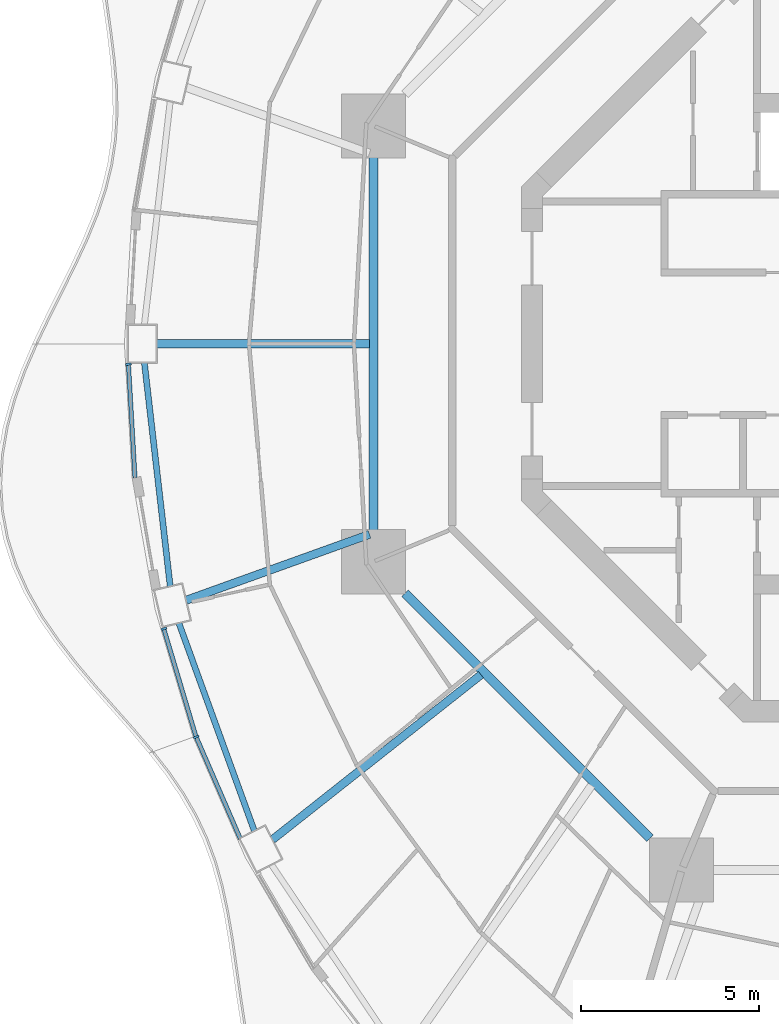
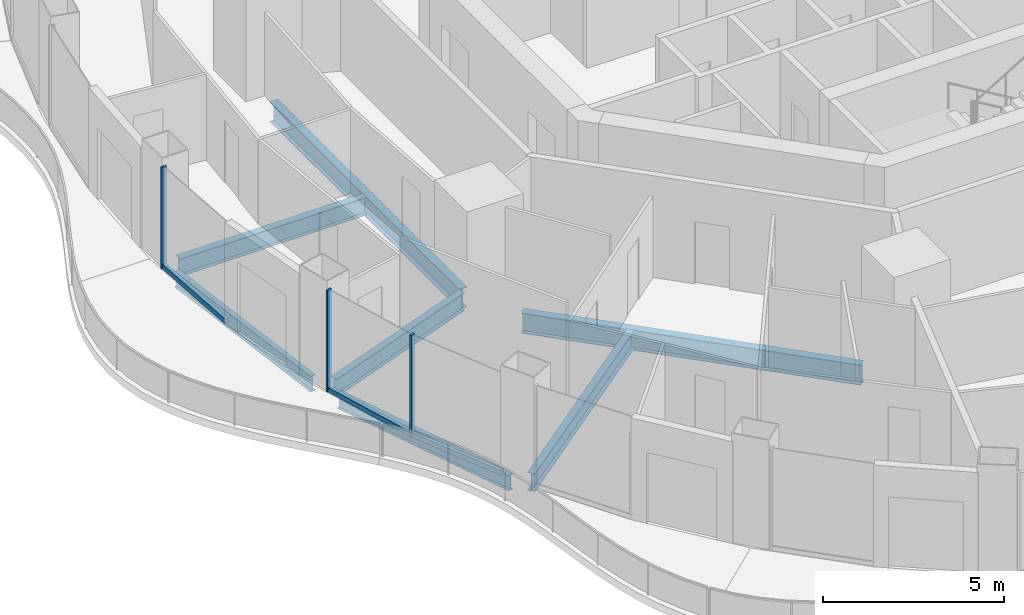
# One storey, part 3 of 19: 7 beams, 6 members, 3 elements without a shape of their own.
"""IFC4 building model written with IfcOpenShell, lengths in metres."""

from ifc_helpers import new_model, si_unit, direction, frame, origin, origin_2d, place, context, subcontext, project, spatial, rectangle, i_section, extrude, material, layer, layer_set, material_profile, profile_set, type_object, element, aggregate, save


model = new_model("IFC4")

# Units and contexts
model_context = context("Model", 3, precision=1e-05, world=origin(), true_north=direction((0.0, 1.0)))
body_context = subcontext(model_context, "Body", "Model", "MODEL_VIEW")
ifc_project = project(units=[si_unit("LENGTHUNIT", "METRE"), si_unit("AREAUNIT", "SQUARE_METRE"), si_unit("VOLUMEUNIT", "CUBIC_METRE"), si_unit("PLANEANGLEUNIT", "RADIAN"), si_unit("MASSUNIT", "GRAM", prefix="KILO")], contexts=[model_context])

# Site, building, storey
site_placement = place(None, origin())
site = spatial("IfcSite", under=ifc_project, at=site_placement, CompositionType="ELEMENT")
building_placement = place(site_placement, origin())
building = spatial("IfcBuilding", under=site, at=building_placement, Name="Nagisa Residences", CompositionType="ELEMENT")
storey_placement = place(building_placement, frame((0.0, 0.0, 199.199951171875)))
storey = spatial("IfcBuildingStorey", under=building, at=storey_placement, Name="L50", CompositionType="ELEMENT", Elevation=199.199951171875)

# Curtain wall, member
ifc_material_1 = material(Name="Concrete-coloured aluminium curtain wall system", Category="concrete")
ifc_layer = layer(ifc_material_1, 0.159912109375)
ifc_layer_set = layer_set([ifc_layer], Name="CW1 CURTAIN WALL")
curtain_wall_type = type_object("IfcCurtainWallType", Name="CW1 CURTAIN WALL", PredefinedType="NOTDEFINED", material=ifc_layer_set)
curtain_wall_1_placement = place(storey_placement, origin())
curtain_wall_1 = element("IfcCurtainWall", 1, at=curtain_wall_1_placement, inside=storey, type_object=curtain_wall_type, Name="cw:CW1:L50:24", PredefinedType="NOTDEFINED")
ifc_material_2 = material(Name="Concrete-coloured aluminium", Category="concrete")
ifc_material_profile_1 = material_profile(ifc_material_2, rectangle(XDim=0.159912109375, YDim=0.06005859375, at=origin_2d()), Name="CW1 MULLION 160x60")
ifc_profile_set_1 = profile_set([ifc_material_profile_1], Name="Concrete-coloured aluminium")
member_type_1 = type_object("IfcMemberType", Name="CW1 MULLION 160x60", PredefinedType="MULLION", material=ifc_profile_set_1)
member_1_placement = place(storey_placement, frame((-21.661865234375, -0.574462890625, 0.0), z_axis=(0.0, 0.0, 1.0), x_axis=(0.998345305184, 0.057503492216, 0.0)))
member_1 = element("IfcMember", 2, at=member_1_placement, type_object=member_type_1, Name="CW1 mullion", PredefinedType="MULLION", context=body_context, shape_type="SweptSolid", body=[
    extrude(rectangle(XDim=0.159912109375, YDim=0.06005859375, at=origin_2d()), origin(), (0.0, 0.0, 1.0), 3.43994140625),
])

curtain_wall_2_placement = place(storey_placement, origin())
curtain_wall_2 = element("IfcCurtainWall", 3, at=curtain_wall_2_placement, inside=storey, type_object=curtain_wall_type, Name="cw:CW1:L50:26", PredefinedType="NOTDEFINED")
member_2_placement = place(storey_placement, frame((-20.66796875, -8.00634765625, 0.0), z_axis=(0.0, 0.0, 1.0), x_axis=(0.958271310082, 0.285860274038, 0.0)))
member_2 = element("IfcMember", 4, at=member_2_placement, type_object=member_type_1, Name="CW1 mullion", PredefinedType="MULLION", context=body_context, shape_type="SweptSolid", body=[
    extrude(rectangle(XDim=0.159912109375, YDim=0.06005859375, at=origin_2d()), origin(), (0.0, 0.0, 1.0), 3.43994140625),
])

curtain_wall_3_placement = place(storey_placement, origin())
curtain_wall_3 = element("IfcCurtainWall", 5, at=curtain_wall_3_placement, inside=storey, type_object=curtain_wall_type, Name="cw:CW1:L50:27", PredefinedType="NOTDEFINED")
member_3_placement = place(storey_placement, frame((-19.758056640625, -11.045654296875, 0.0), z_axis=(0.0, 0.0, 1.0), x_axis=(0.917543276295, 0.397635934147, 0.0)))
member_3 = element("IfcMember", 6, at=member_3_placement, type_object=member_type_1, Name="CW1 mullion", PredefinedType="MULLION", context=body_context, shape_type="SweptSolid", body=[
    extrude(rectangle(XDim=0.159912109375, YDim=0.06005859375, at=origin_2d()), origin(), (0.0, 0.0, 1.0), 3.43994140625),
])

# Member
ifc_material_3 = material(Name="Concrete-coloured aluminium", Category="concrete")
ifc_material_profile_2 = material_profile(ifc_material_3, rectangle(XDim=0.1201171875, YDim=0.14990234375, at=origin_2d()), Name="CW1 TRANSOM 120x150")
ifc_profile_set_2 = profile_set([ifc_material_profile_2], Name="Concrete-coloured aluminium")
member_type_2 = type_object("IfcMemberType", Name="CW1 TRANSOM 120x150", PredefinedType="USERDEFINED", material=ifc_profile_set_2)
member_4_placement = place(storey_placement, frame((-21.66357421875, -0.54443359375, 0.074951171875), z_axis=(0.057528345118, -0.998343873376, 0.0), x_axis=(0.998343873376, 0.057528345118, 0.0)))
member_4 = element("IfcMember", 7, at=member_4_placement, type_object=member_type_2, Name="CW1 transom", ObjectType="TRANSOM", PredefinedType="USERDEFINED", context=body_context, shape_type="SweptSolid", body=[
    extrude(rectangle(XDim=0.1201171875, YDim=0.14990234375, at=origin_2d()), origin(), (0.0, 0.0, 1.0), 3.225341796875),
])

aggregate(curtain_wall_1, [member_1, member_4])

member_5_placement = place(storey_placement, frame((-20.676513671875, -7.9775390625, 0.074951171875), z_axis=(0.28584838049, -0.958274857946, 0.0), x_axis=(0.958274857946, 0.28584838049, 0.0)))
member_5 = element("IfcMember", 8, at=member_5_placement, type_object=member_type_2, Name="CW1 transom", ObjectType="TRANSOM", PredefinedType="USERDEFINED", context=body_context, shape_type="SweptSolid", body=[
    extrude(rectangle(XDim=0.1201171875, YDim=0.14990234375, at=origin_2d()), origin(), (0.0, 0.0, 1.0), 3.182373046875),
])

aggregate(curtain_wall_2, [member_2, member_5])

member_6_placement = place(storey_placement, frame((-19.77001953125, -11.01806640625, 0.074951171875), z_axis=(0.397592173732, -0.917562239517, 0.0), x_axis=(0.917562239517, 0.397592173732, 0.0)))
member_6 = element("IfcMember", 9, at=member_6_placement, type_object=member_type_2, Name="CW1 transom", ObjectType="TRANSOM", PredefinedType="USERDEFINED", context=body_context, shape_type="SweptSolid", body=[
    extrude(rectangle(XDim=0.1201171875, YDim=0.14990234375, at=origin_2d()), origin(), (0.0, 0.0, 1.0), 3.14208984375),
])

aggregate(curtain_wall_3, [member_3, member_6])

# Beams
ifc_material_4 = material(Name="Steel ASTM A572 Gr 50", Category="steel")
ifc_material_profile_3 = material_profile(ifc_material_4, i_section(OverallWidth=0.25390625, OverallDepth=0.68408203125, WebThickness=0.012451171875, FlangeThickness=0.018798828125, at=origin_2d()), Name="W690x140")
ifc_profile_set_3 = profile_set([ifc_material_profile_3], Name="Steel ASTM A572 Gr 50")
beam_type_1 = type_object("IfcBeamType", Name="Inner ring beam W690x140", PredefinedType="BEAM", material=ifc_profile_set_3)
beam_1_placement = place(storey_placement, frame((-14.781982421875, 5.242919921875, -0.60205078125), z_axis=(0.0, -1.0, 0.0), x_axis=(1.0, 0.0, 0.0)))
element("IfcBeam", 10, at=beam_1_placement, inside=storey, type_object=beam_type_1, Name="beam:L50:ib4", PredefinedType="BEAM", context=body_context, shape_type="SweptSolid", body=[
    extrude(i_section(OverallWidth=0.25390625, OverallDepth=0.68408203125, WebThickness=0.012451171875, FlangeThickness=0.018798828125, at=origin_2d()), origin(), (0.0, 0.0, 1.0), 10.48583984375),
])
beam_2_placement = place(storey_placement, frame((-13.896240234375, -7.0087890625, -0.60205078125), z_axis=(0.707106781187, -0.707106781187, 0.0), x_axis=(0.707106781187, 0.707106781187, 0.0)))
element("IfcBeam", 11, at=beam_2_placement, inside=storey, type_object=beam_type_1, Name="beam:L50:ib5", PredefinedType="BEAM", context=body_context, shape_type="SweptSolid", body=[
    extrude(i_section(OverallWidth=0.25390625, OverallDepth=0.68408203125, WebThickness=0.012451171875, FlangeThickness=0.018798828125, at=origin_2d()), origin(), (0.0, 0.0, 1.0), 9.740234375),
])
ifc_material_5 = material(Name="Steel ASTM A572 Gr 50", Category="steel")
ifc_material_profile_4 = material_profile(ifc_material_5, i_section(OverallWidth=0.166015625, OverallDepth=0.534912109375, WebThickness=0.01025390625, FlangeThickness=0.0166015625, at=origin_2d()), Name="W530x85")
ifc_profile_set_4 = profile_set([ifc_material_profile_4], Name="Steel ASTM A572 Gr 50")
beam_type_2 = type_object("IfcBeamType", Name="Perimeter ring beam W530x85", PredefinedType="BEAM", material=ifc_profile_set_4)
beam_3_placement = place(storey_placement, frame((-21.2138671875, -0.530029296875, -0.52734375), z_axis=(0.114670987431, -0.993403525583, 0.0), x_axis=(0.993403525583, 0.114670987431, 0.0)))
element("IfcBeam", 12, at=beam_3_placement, inside=storey, type_object=beam_type_2, Name="beam:L50:pb13", PredefinedType="BEAM", context=body_context, shape_type="SweptSolid", body=[
    extrude(i_section(OverallWidth=0.166015625, OverallDepth=0.534912109375, WebThickness=0.01025390625, FlangeThickness=0.0166015625, at=origin_2d()), origin(), (0.0, 0.0, 1.0), 6.325439453125),
])
beam_4_placement = place(storey_placement, frame((-20.2451171875, -7.845703125, -0.52734375), z_axis=(0.341285525681, -0.939959674646, 0.0), x_axis=(0.939959674646, 0.341285525681, 0.0)))
element("IfcBeam", 13, at=beam_4_placement, inside=storey, type_object=beam_type_2, Name="beam:L50:pb14", PredefinedType="BEAM", context=body_context, shape_type="SweptSolid", body=[
    extrude(i_section(OverallWidth=0.166015625, OverallDepth=0.534912109375, WebThickness=0.01025390625, FlangeThickness=0.0166015625, at=origin_2d()), origin(), (0.0, 0.0, 1.0), 6.212890625),
])
ifc_material_6 = material(Name="Steel ASTM A572 Gr 50", Category="steel")
ifc_material_profile_5 = material_profile(ifc_material_6, i_section(OverallWidth=0.22802734375, OverallDepth=0.60302734375, WebThickness=0.010498046875, FlangeThickness=0.014892578125, at=origin_2d()), Name="W610x101")
ifc_profile_set_5 = profile_set([ifc_material_profile_5], Name="Steel ASTM A572 Gr 50")
beam_type_3 = type_object("IfcBeamType", Name="Radial beam W610x101", PredefinedType="BEAM", material=ifc_profile_set_5)
beam_5_placement = place(storey_placement, frame((-20.8701171875, 0.0, -0.5615234375), z_axis=(1.0, 0.0, 0.0), x_axis=(0.0, 1.0, 0.0)))
element("IfcBeam", 14, at=beam_5_placement, inside=storey, type_object=beam_type_3, Name="beam:L50:rb13", PredefinedType="BEAM", context=body_context, shape_type="SweptSolid", body=[
    extrude(i_section(OverallWidth=0.22802734375, OverallDepth=0.60302734375, WebThickness=0.010498046875, FlangeThickness=0.014892578125, at=origin_2d()), origin(), (0.0, 0.0, 1.0), 5.98095703125),
])
beam_6_placement = place(storey_placement, frame((-20.043701171875, -7.2060546875, -0.5615234375), z_axis=(0.941032808963, 0.338315315137, 0.0), x_axis=(-0.338315315137, 0.941032808963, 0.0)))
element("IfcBeam", 15, at=beam_6_placement, inside=storey, type_object=beam_type_3, Name="beam:L50:rb14", PredefinedType="BEAM", context=body_context, shape_type="SweptSolid", body=[
    extrude(i_section(OverallWidth=0.22802734375, OverallDepth=0.60302734375, WebThickness=0.010498046875, FlangeThickness=0.014892578125, at=origin_2d()), origin(), (0.0, 0.0, 1.0), 5.4765625),
])
beam_7_placement = place(storey_placement, frame((-17.617919921875, -13.930908203125, -0.5615234375), z_axis=(0.784411523752, 0.620240728593, 0.0), x_axis=(-0.620240728593, 0.784411523752, 0.0)))
element("IfcBeam", 16, at=beam_7_placement, inside=storey, type_object=beam_type_3, Name="beam:L50:rb15", PredefinedType="BEAM", context=body_context, shape_type="SweptSolid", body=[
    extrude(i_section(OverallWidth=0.22802734375, OverallDepth=0.60302734375, WebThickness=0.010498046875, FlangeThickness=0.014892578125, at=origin_2d()), origin(), (0.0, 0.0, 1.0), 7.4697265625),
])

save(model, "model.ifc")
